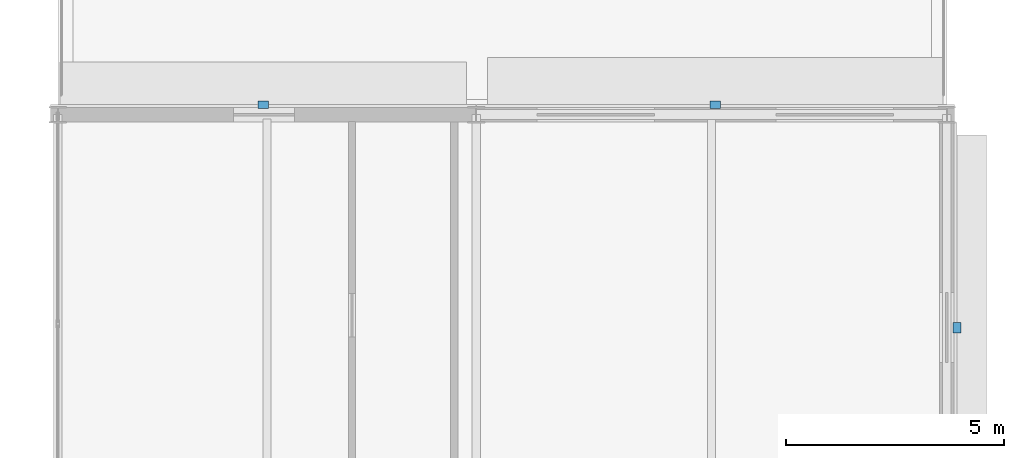
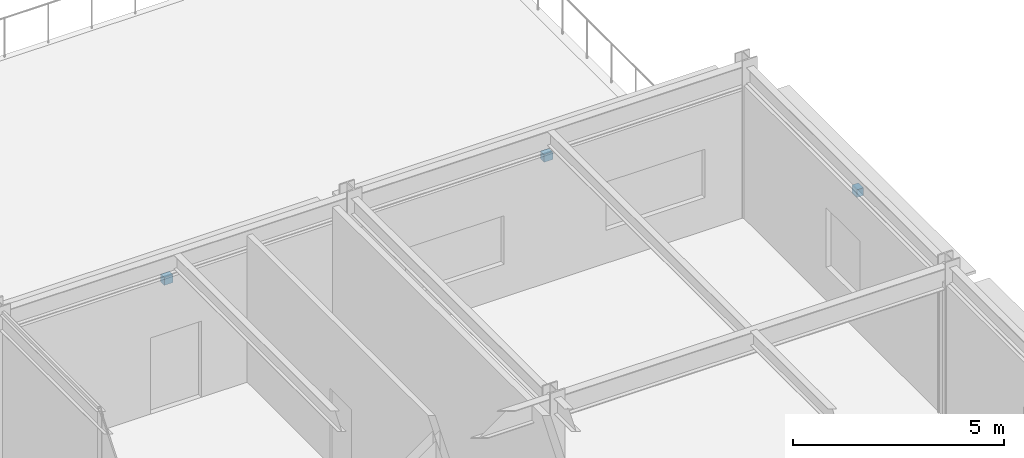
# One storey, part 134 of 157: 3 discrete accessories.
"""IFC4 building model written with IfcOpenShell, lengths in metres."""

from ifc_helpers import new_model, si_unit, direction, frame, origin, origin_2d, place, context, subcontext, project, spatial, rectangle, extrude, material, layer, layer_set, type_object, element, save


model = new_model("IFC4")

# Units and contexts
model_context = context("Model", 3, precision=1e-05, world=origin(), true_north=direction((0.0, 1.0)))
body_context = subcontext(model_context, "Body", "Model", "MODEL_VIEW")
ifc_project = project(units=[si_unit("LENGTHUNIT", "METRE"), si_unit("AREAUNIT", "SQUARE_METRE"), si_unit("VOLUMEUNIT", "CUBIC_METRE"), si_unit("PLANEANGLEUNIT", "RADIAN"), si_unit("MASSUNIT", "GRAM", prefix="KILO")], contexts=[model_context])

# Site, building, storey
site_placement = place(None, origin())
site = spatial("IfcSite", under=ifc_project, at=site_placement, CompositionType="ELEMENT")
building_placement = place(site_placement, origin())
building = spatial("IfcBuilding", under=site, at=building_placement, Name="Almandine Court Research Institute", CompositionType="ELEMENT")
storey_placement = place(building_placement, frame((0.0, 0.0, 5.25)))
storey = spatial("IfcBuildingStorey", under=building, at=storey_placement, Name="L01", CompositionType="ELEMENT", Elevation=5.25)

# Discrete accessories
ifc_material = material(Name="Galvanised Steel Facade Outrigger Bracket", Category="steel")
ifc_layer = layer(ifc_material, 0.219970703125)
ifc_layer_set = layer_set([ifc_layer], Name="Galvanised Steel Facade Outrigger Bracket")
discrete_accessory_type = type_object("IfcDiscreteAccessoryType", Name="Acc-CHJ-BRACKET", PredefinedType="BRACKET", material=ifc_layer_set)
for number, where, z_axis, x_axis, name in (
    (1, (158.31298828125, 103.429931640625, 3.333984375), (0.0, 0.0, 1.0), (1.0, 0.0, 0.0), "L01 Chhajja Outrigger Bracket 81"),
    (2, (168.68701171875, 103.429931640625, 3.2548828125), (0.0, 0.0, 1.0), (1.0, 0.0, 0.0), "L01 Chhajja Outrigger Bracket 82"),
    (3, (174.22998046875, 98.31494140625, 3.4072265625), (0.0, 0.0, 1.0), (0.0, -1.0, 0.0), "L01 Chhajja Outrigger Bracket 83"),
):
    element("IfcDiscreteAccessory", number, at=place(storey_placement, frame(where, z_axis=z_axis, x_axis=x_axis)), inside=storey, type_object=discrete_accessory_type, Name=name, PredefinedType="BRACKET", context=body_context, shape_type="SweptSolid", body=[
        extrude(rectangle(XDim=0.239990234375, YDim=0.179931640625, at=origin_2d()), origin(), (0.0, 0.0, 1.0), 0.219970703125),
    ])

save(model, "model.ifc")
